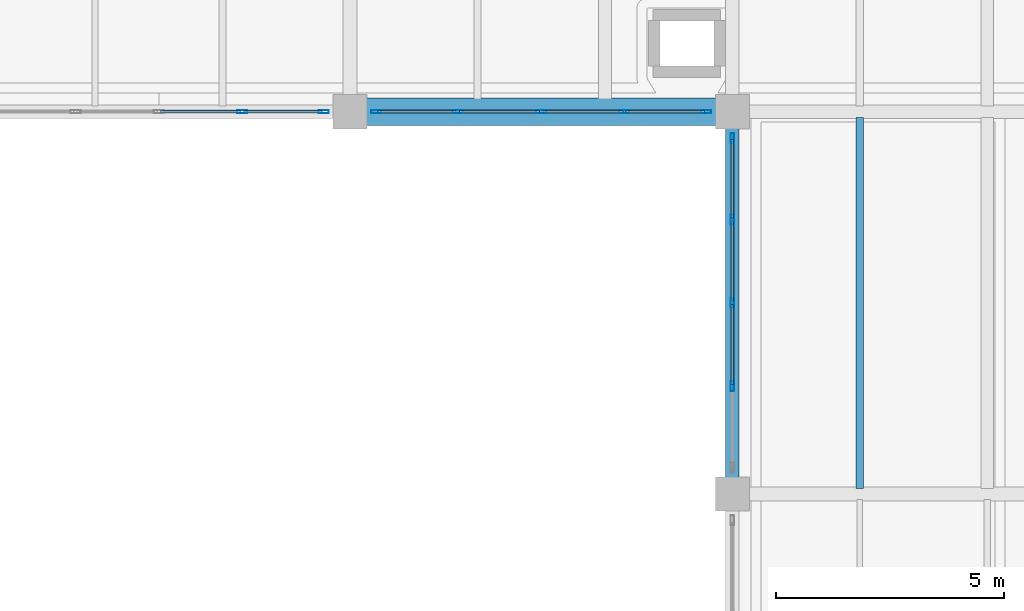
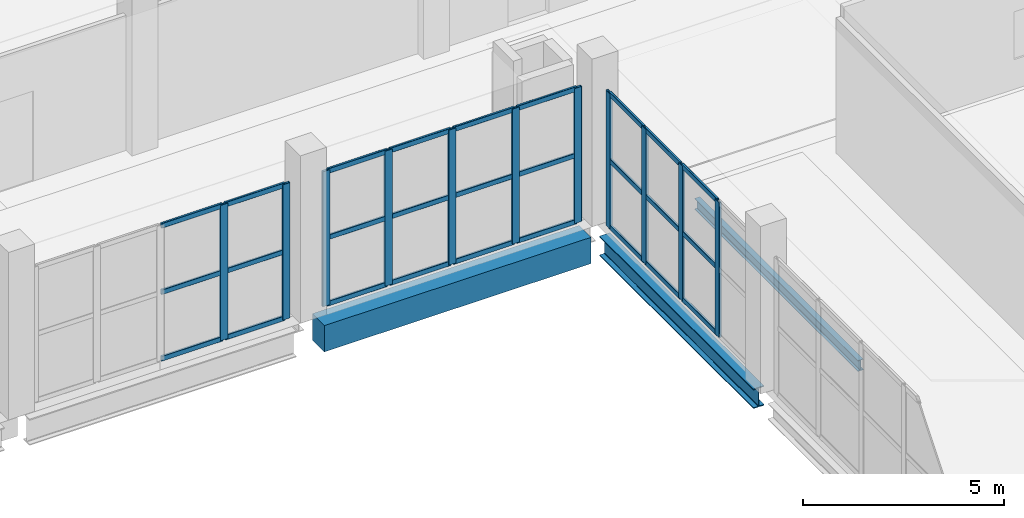
# One storey, part 47 of 77: 38 members, 3 beams, 3 elements without a shape of their own.
"""IFC4 building model written with IfcOpenShell, lengths in metres."""

from ifc_helpers import new_model, si_unit, direction, frame, origin, origin_2d, place, context, subcontext, project, spatial, rectangle, hollow_rectangle, i_section, extrude, material, layer, layer_set, material_profile, profile_set, type_object, element, aggregate, save


model = new_model("IFC4")

# Units and contexts
model_context = context("Model", 3, precision=1e-05, world=origin(), true_north=direction((0.0, 1.0)))
body_context = subcontext(model_context, "Body", "Model", "MODEL_VIEW")
ifc_project = project(units=[si_unit("LENGTHUNIT", "METRE"), si_unit("AREAUNIT", "SQUARE_METRE"), si_unit("VOLUMEUNIT", "CUBIC_METRE"), si_unit("PLANEANGLEUNIT", "RADIAN"), si_unit("MASSUNIT", "GRAM", prefix="KILO")], contexts=[model_context])

# Site, building, storey
site_placement = place(None, origin())
site = spatial("IfcSite", under=ifc_project, at=site_placement, CompositionType="ELEMENT")
building_placement = place(site_placement, origin())
building = spatial("IfcBuilding", under=site, at=building_placement, Name="Zulmaris Art Gallery", CompositionType="ELEMENT")
storey_placement = place(building_placement, frame((0.0, 0.0, 15.60009765625)))
storey = spatial("IfcBuildingStorey", under=building, at=storey_placement, Name="L03", CompositionType="ELEMENT", Elevation=15.60009765625)

# Beams
ifc_material_1 = material(Name="Steel S355J2", Category="steel")
ifc_material_profile_1 = material_profile(ifc_material_1, i_section(OverallWidth=0.300048828125, OverallDepth=0.60009765625, WebThickness=0.015380859375, FlangeThickness=0.030029296875, FilletRadius=0.027099609375, at=origin_2d()), Name="HEB 600")
ifc_profile_set_1 = profile_set([ifc_material_profile_1], Name="Steel S355J2")
beam_type_1 = type_object("IfcBeamType", Name="BEAM-BM15", PredefinedType="BEAM", material=ifc_profile_set_1)
beam_1_placement = place(storey_placement, frame((183.60009765625, 50.760009765625, -0.670166015625), z_axis=(0.0, 1.0, 0.0), x_axis=(-1.0, 0.0, 0.0)))
element("IfcBeam", 1, at=beam_1_placement, inside=storey, type_object=beam_type_1, Name="L03 Y-girder (x=183.6, 50.4..58.8)", PredefinedType="BEAM", context=body_context, shape_type="SweptSolid", body=[
    extrude(i_section(OverallWidth=0.300048828125, OverallDepth=0.60009765625, WebThickness=0.015380859375, FlangeThickness=0.030029296875, FilletRadius=0.027099609375, at=origin_2d()), origin(), (0.0, 0.0, 1.0), 7.679931640625),
])
ifc_material_2 = material(Name="Concrete C40/50", Category="concrete")
ifc_material_profile_2 = material_profile(ifc_material_2, rectangle(XDim=0.60009765625, YDim=0.800048828125, at=origin_2d()), Name="RC 600x800")
ifc_profile_set_2 = profile_set([ifc_material_profile_2], Name="Concrete C40/50")
beam_type_2 = type_object("IfcBeamType", Name="BEAM-BM27", PredefinedType="BEAM", material=ifc_profile_set_2)
beam_2_placement = place(storey_placement, frame((175.56005859375, 58.800048828125, -0.77001953125), z_axis=(1.0, 0.0, 0.0), x_axis=(0.0, 1.0, 0.0)))
element("IfcBeam", 2, at=beam_2_placement, inside=storey, type_object=beam_type_2, Name="L03 X-girder (175.2..183.6, y=58.8)", PredefinedType="BEAM", context=body_context, shape_type="SweptSolid", body=[
    extrude(rectangle(XDim=0.60009765625, YDim=0.800048828125, at=origin_2d()), origin(), (0.0, 0.0, 1.0), 7.679931640625),
])
ifc_material_profile_3 = material_profile(ifc_material_1, i_section(OverallWidth=0.159912109375, OverallDepth=0.330078125, WebThickness=0.007568359375, FlangeThickness=0.011474609375, FilletRadius=0.01806640625, at=origin_2d()), Name="IPE 330")
ifc_profile_set_3 = profile_set([ifc_material_profile_3], Name="Steel S355J2")
beam_type_3 = type_object("IfcBeamType", Name="BEAM-JS03", PredefinedType="JOIST", material=ifc_profile_set_3)
beam_3_placement = place(storey_placement, frame((186.39990234375, 50.52490234375, -0.53515625), z_axis=(0.0, 1.0, 0.0), x_axis=(-1.0, 0.0, 0.0)))
element("IfcBeam", 3, at=beam_3_placement, inside=storey, type_object=beam_type_3, Name="L03 secondary joist at x=186.4", PredefinedType="JOIST", context=body_context, shape_type="SweptSolid", body=[
    extrude(i_section(OverallWidth=0.159912109375, OverallDepth=0.330078125, WebThickness=0.007568359375, FlangeThickness=0.011474609375, FilletRadius=0.01806640625, at=origin_2d()), origin(), (0.0, 0.0, 1.0), 8.150146484375),
])

# Curtain wall, members
ifc_material_3 = material(Name="Courtyard Artists Studio Curtain Wall", Category="aluminium")
ifc_layer = layer(ifc_material_3, 0.179931640625)
ifc_layer_set = layer_set([ifc_layer], Name="Courtyard Artists Studio Curtain Wall")
curtain_wall_type = type_object("IfcCurtainWallType", Name="CW-CW04", PredefinedType="NOTDEFINED", material=ifc_layer_set)
curtain_wall_1_placement = place(storey_placement, origin())
curtain_wall_1 = element("IfcCurtainWall", 4, at=curtain_wall_1_placement, inside=storey, type_object=curtain_wall_type, Name="L03 curtain wall 152", PredefinedType="NOTDEFINED")
ifc_material_4 = material(Name="Anodised Bronze Aluminium", Category="aluminium")
ifc_material_profile_4 = material_profile(ifc_material_4, hollow_rectangle(XDim=0.074951171875, YDim=0.219970703125, WallThickness=0.0048828125, InnerFilletRadius=0.007568359375, OuterFilletRadius=0.012451171875, at=origin_2d()), Name="ALU 75x220x5")
ifc_profile_set_4 = profile_set([ifc_material_profile_4], Name="Anodised Bronze Aluminium")
member_type_1 = type_object("IfcMemberType", Name="CWMUL-02", PredefinedType="MULLION", material=ifc_profile_set_4)
member_1_placement = place(storey_placement, frame((183.60009765625, 58.222412109375, 0.0), z_axis=(0.0, 0.0, 1.0), x_axis=(1.0, 0.0, 0.0)))
member_1 = element("IfcMember", 5, at=member_1_placement, type_object=member_type_1, Name="CW04 mullion 1", PredefinedType="MULLION", context=body_context, shape_type="SweptSolid", body=[
    extrude(hollow_rectangle(XDim=0.074951171875, YDim=0.219970703125, WallThickness=0.0048828125, InnerFilletRadius=0.007568359375, OuterFilletRadius=0.012451171875, at=origin_2d()), origin(), (0.0, 0.0, 1.0), 4.10986328125),
])
member_2_placement = place(storey_placement, frame((183.60009765625, 56.429931640625, 0.0), z_axis=(0.0, 0.0, 1.0), x_axis=(1.0, 0.0, 0.0)))
member_2 = element("IfcMember", 6, at=member_2_placement, type_object=member_type_1, Name="CW04 mullion 2", PredefinedType="MULLION", context=body_context, shape_type="SweptSolid", body=[
    extrude(hollow_rectangle(XDim=0.074951171875, YDim=0.219970703125, WallThickness=0.0048828125, InnerFilletRadius=0.007568359375, OuterFilletRadius=0.012451171875, at=origin_2d()), origin(), (0.0, 0.0, 1.0), 4.10986328125),
])
member_3_placement = place(storey_placement, frame((183.60009765625, 54.60009765625, 0.0), z_axis=(0.0, 0.0, 1.0), x_axis=(1.0, 0.0, 0.0)))
member_3 = element("IfcMember", 7, at=member_3_placement, type_object=member_type_1, Name="CW04 mullion 3", PredefinedType="MULLION", context=body_context, shape_type="SweptSolid", body=[
    extrude(hollow_rectangle(XDim=0.074951171875, YDim=0.219970703125, WallThickness=0.0048828125, InnerFilletRadius=0.007568359375, OuterFilletRadius=0.012451171875, at=origin_2d()), origin(), (0.0, 0.0, 1.0), 4.10986328125),
])
member_4_placement = place(storey_placement, frame((183.60009765625, 52.77001953125, 0.0), z_axis=(0.0, 0.0, 1.0), x_axis=(1.0, 0.0, 0.0)))
member_4 = element("IfcMember", 8, at=member_4_placement, type_object=member_type_1, Name="CW04 mullion 4", PredefinedType="MULLION", context=body_context, shape_type="SweptSolid", body=[
    extrude(hollow_rectangle(XDim=0.074951171875, YDim=0.219970703125, WallThickness=0.0048828125, InnerFilletRadius=0.007568359375, OuterFilletRadius=0.012451171875, at=origin_2d()), origin(), (0.0, 0.0, 1.0), 4.10986328125),
])

curtain_wall_2_placement = place(storey_placement, origin())
curtain_wall_2 = element("IfcCurtainWall", 9, at=curtain_wall_2_placement, inside=storey, type_object=curtain_wall_type, Name="L03 curtain wall 155", PredefinedType="NOTDEFINED")
member_5_placement = place(storey_placement, frame((174.62255859375, 58.800048828125, 0.0), z_axis=(0.0, 0.0, 1.0), x_axis=(0.0, -1.0, 0.0)))
member_5 = element("IfcMember", 10, at=member_5_placement, type_object=member_type_1, Name="CW04 mullion 1", PredefinedType="MULLION", context=body_context, shape_type="SweptSolid", body=[
    extrude(hollow_rectangle(XDim=0.074951171875, YDim=0.219970703125, WallThickness=0.0048828125, InnerFilletRadius=0.007568359375, OuterFilletRadius=0.012451171875, at=origin_2d()), origin(), (0.0, 0.0, 1.0), 4.119873046875),
])
member_6_placement = place(storey_placement, frame((172.830078125, 58.800048828125, 0.0), z_axis=(0.0, 0.0, 1.0), x_axis=(0.0, -1.0, 0.0)))
member_6 = element("IfcMember", 11, at=member_6_placement, type_object=member_type_1, Name="CW04 mullion 2", PredefinedType="MULLION", context=body_context, shape_type="SweptSolid", body=[
    extrude(hollow_rectangle(XDim=0.074951171875, YDim=0.219970703125, WallThickness=0.0048828125, InnerFilletRadius=0.007568359375, OuterFilletRadius=0.012451171875, at=origin_2d()), origin(), (0.0, 0.0, 1.0), 4.119873046875),
])

curtain_wall_3_placement = place(storey_placement, origin())
curtain_wall_3 = element("IfcCurtainWall", 12, at=curtain_wall_3_placement, inside=storey, type_object=curtain_wall_type, Name="L03 curtain wall 157", PredefinedType="NOTDEFINED")
member_7_placement = place(storey_placement, frame((183.0224609375, 58.800048828125, 0.0), z_axis=(0.0, 0.0, 1.0), x_axis=(0.0, -1.0, 0.0)))
member_7 = element("IfcMember", 13, at=member_7_placement, type_object=member_type_1, Name="CW04 mullion 1", PredefinedType="MULLION", context=body_context, shape_type="SweptSolid", body=[
    extrude(hollow_rectangle(XDim=0.074951171875, YDim=0.219970703125, WallThickness=0.0048828125, InnerFilletRadius=0.007568359375, OuterFilletRadius=0.012451171875, at=origin_2d()), origin(), (0.0, 0.0, 1.0), 4.10986328125),
])
member_8_placement = place(storey_placement, frame((181.22998046875, 58.800048828125, 0.0), z_axis=(0.0, 0.0, 1.0), x_axis=(0.0, -1.0, 0.0)))
member_8 = element("IfcMember", 14, at=member_8_placement, type_object=member_type_1, Name="CW04 mullion 2", PredefinedType="MULLION", context=body_context, shape_type="SweptSolid", body=[
    extrude(hollow_rectangle(XDim=0.074951171875, YDim=0.219970703125, WallThickness=0.0048828125, InnerFilletRadius=0.007568359375, OuterFilletRadius=0.012451171875, at=origin_2d()), origin(), (0.0, 0.0, 1.0), 4.10986328125),
])
member_9_placement = place(storey_placement, frame((179.39990234375, 58.800048828125, 0.0), z_axis=(0.0, 0.0, 1.0), x_axis=(0.0, -1.0, 0.0)))
member_9 = element("IfcMember", 15, at=member_9_placement, type_object=member_type_1, Name="CW04 mullion 3", PredefinedType="MULLION", context=body_context, shape_type="SweptSolid", body=[
    extrude(hollow_rectangle(XDim=0.074951171875, YDim=0.219970703125, WallThickness=0.0048828125, InnerFilletRadius=0.007568359375, OuterFilletRadius=0.012451171875, at=origin_2d()), origin(), (0.0, 0.0, 1.0), 4.10986328125),
])
member_10_placement = place(storey_placement, frame((177.570068359375, 58.800048828125, 0.0), z_axis=(0.0, 0.0, 1.0), x_axis=(0.0, -1.0, 0.0)))
member_10 = element("IfcMember", 16, at=member_10_placement, type_object=member_type_1, Name="CW04 mullion 4", PredefinedType="MULLION", context=body_context, shape_type="SweptSolid", body=[
    extrude(hollow_rectangle(XDim=0.074951171875, YDim=0.219970703125, WallThickness=0.0048828125, InnerFilletRadius=0.007568359375, OuterFilletRadius=0.012451171875, at=origin_2d()), origin(), (0.0, 0.0, 1.0), 4.10986328125),
])
member_11_placement = place(storey_placement, frame((175.777587890625, 58.800048828125, 0.0), z_axis=(0.0, 0.0, 1.0), x_axis=(0.0, -1.0, 0.0)))
member_11 = element("IfcMember", 17, at=member_11_placement, type_object=member_type_1, Name="CW04 mullion 5", PredefinedType="MULLION", context=body_context, shape_type="SweptSolid", body=[
    extrude(hollow_rectangle(XDim=0.074951171875, YDim=0.219970703125, WallThickness=0.0048828125, InnerFilletRadius=0.007568359375, OuterFilletRadius=0.012451171875, at=origin_2d()), origin(), (0.0, 0.0, 1.0), 4.10986328125),
])

# Member
ifc_material_profile_5 = material_profile(ifc_material_4, hollow_rectangle(XDim=0.06494140625, YDim=0.14990234375, WallThickness=0.00390625, InnerFilletRadius=0.006103515625, OuterFilletRadius=0.010009765625, at=origin_2d()), Name="ALU 65x150x4")
ifc_profile_set_5 = profile_set([ifc_material_profile_5], Name="Anodised Bronze Aluminium")
member_type_2 = type_object("IfcMemberType", Name="CWTRN-01", PredefinedType="USERDEFINED", material=ifc_profile_set_5)
member_12_placement = place(storey_placement, frame((183.60009765625, 58.18505859375, 0.037353515625), z_axis=(0.0, -1.0, 0.0), x_axis=(1.0, 0.0, 0.0)))
member_12 = element("IfcMember", 18, at=member_12_placement, type_object=member_type_2, Name="CW04 transom 1.1", ObjectType="TRANSOM", PredefinedType="USERDEFINED", context=body_context, shape_type="SweptSolid", body=[
    extrude(hollow_rectangle(XDim=0.06494140625, YDim=0.14990234375, WallThickness=0.00390625, InnerFilletRadius=0.006103515625, OuterFilletRadius=0.010009765625, at=origin_2d()), origin(), (0.0, 0.0, 1.0), 1.717529296875),
])

member_13_placement = place(storey_placement, frame((183.60009765625, 58.18505859375, 2.054931640625), z_axis=(0.0, -1.0, 0.0), x_axis=(1.0, 0.0, 0.0)))
member_13 = element("IfcMember", 19, at=member_13_placement, type_object=member_type_2, Name="CW04 transom 1.2", ObjectType="TRANSOM", PredefinedType="USERDEFINED", context=body_context, shape_type="SweptSolid", body=[
    extrude(hollow_rectangle(XDim=0.06494140625, YDim=0.14990234375, WallThickness=0.00390625, InnerFilletRadius=0.006103515625, OuterFilletRadius=0.010009765625, at=origin_2d()), origin(), (0.0, 0.0, 1.0), 1.717529296875),
])

member_14_placement = place(storey_placement, frame((183.60009765625, 58.18505859375, 4.072509765625), z_axis=(0.0, -1.0, 0.0), x_axis=(1.0, 0.0, 0.0)))
member_14 = element("IfcMember", 20, at=member_14_placement, type_object=member_type_2, Name="CW04 transom 1.3", ObjectType="TRANSOM", PredefinedType="USERDEFINED", context=body_context, shape_type="SweptSolid", body=[
    extrude(hollow_rectangle(XDim=0.06494140625, YDim=0.14990234375, WallThickness=0.00390625, InnerFilletRadius=0.006103515625, OuterFilletRadius=0.010009765625, at=origin_2d()), origin(), (0.0, 0.0, 1.0), 1.717529296875),
])

member_15_placement = place(storey_placement, frame((183.60009765625, 56.392578125, 0.037353515625), z_axis=(0.0, -1.0, 0.0), x_axis=(1.0, 0.0, 0.0)))
member_15 = element("IfcMember", 21, at=member_15_placement, type_object=member_type_2, Name="CW04 transom 2.1", ObjectType="TRANSOM", PredefinedType="USERDEFINED", context=body_context, shape_type="SweptSolid", body=[
    extrude(hollow_rectangle(XDim=0.06494140625, YDim=0.14990234375, WallThickness=0.00390625, InnerFilletRadius=0.006103515625, OuterFilletRadius=0.010009765625, at=origin_2d()), origin(), (0.0, 0.0, 1.0), 1.755126953125),
])

member_16_placement = place(storey_placement, frame((183.60009765625, 56.392578125, 2.054931640625), z_axis=(0.0, -1.0, 0.0), x_axis=(1.0, 0.0, 0.0)))
member_16 = element("IfcMember", 22, at=member_16_placement, type_object=member_type_2, Name="CW04 transom 2.2", ObjectType="TRANSOM", PredefinedType="USERDEFINED", context=body_context, shape_type="SweptSolid", body=[
    extrude(hollow_rectangle(XDim=0.06494140625, YDim=0.14990234375, WallThickness=0.00390625, InnerFilletRadius=0.006103515625, OuterFilletRadius=0.010009765625, at=origin_2d()), origin(), (0.0, 0.0, 1.0), 1.755126953125),
])

member_17_placement = place(storey_placement, frame((183.60009765625, 56.392578125, 4.072509765625), z_axis=(0.0, -1.0, 0.0), x_axis=(1.0, 0.0, 0.0)))
member_17 = element("IfcMember", 23, at=member_17_placement, type_object=member_type_2, Name="CW04 transom 2.3", ObjectType="TRANSOM", PredefinedType="USERDEFINED", context=body_context, shape_type="SweptSolid", body=[
    extrude(hollow_rectangle(XDim=0.06494140625, YDim=0.14990234375, WallThickness=0.00390625, InnerFilletRadius=0.006103515625, OuterFilletRadius=0.010009765625, at=origin_2d()), origin(), (0.0, 0.0, 1.0), 1.755126953125),
])

member_18_placement = place(storey_placement, frame((183.60009765625, 54.5625, 0.037353515625), z_axis=(0.0, -1.0, 0.0), x_axis=(1.0, 0.0, 0.0)))
member_18 = element("IfcMember", 24, at=member_18_placement, type_object=member_type_2, Name="CW04 transom 3.1", ObjectType="TRANSOM", PredefinedType="USERDEFINED", context=body_context, shape_type="SweptSolid", body=[
    extrude(hollow_rectangle(XDim=0.06494140625, YDim=0.14990234375, WallThickness=0.00390625, InnerFilletRadius=0.006103515625, OuterFilletRadius=0.010009765625, at=origin_2d()), origin(), (0.0, 0.0, 1.0), 1.7548828125),
])

member_19_placement = place(storey_placement, frame((183.60009765625, 54.5625, 2.054931640625), z_axis=(0.0, -1.0, 0.0), x_axis=(1.0, 0.0, 0.0)))
member_19 = element("IfcMember", 25, at=member_19_placement, type_object=member_type_2, Name="CW04 transom 3.2", ObjectType="TRANSOM", PredefinedType="USERDEFINED", context=body_context, shape_type="SweptSolid", body=[
    extrude(hollow_rectangle(XDim=0.06494140625, YDim=0.14990234375, WallThickness=0.00390625, InnerFilletRadius=0.006103515625, OuterFilletRadius=0.010009765625, at=origin_2d()), origin(), (0.0, 0.0, 1.0), 1.7548828125),
])

member_20_placement = place(storey_placement, frame((183.60009765625, 54.5625, 4.072509765625), z_axis=(0.0, -1.0, 0.0), x_axis=(1.0, 0.0, 0.0)))
member_20 = element("IfcMember", 26, at=member_20_placement, type_object=member_type_2, Name="CW04 transom 3.3", ObjectType="TRANSOM", PredefinedType="USERDEFINED", context=body_context, shape_type="SweptSolid", body=[
    extrude(hollow_rectangle(XDim=0.06494140625, YDim=0.14990234375, WallThickness=0.00390625, InnerFilletRadius=0.006103515625, OuterFilletRadius=0.010009765625, at=origin_2d()), origin(), (0.0, 0.0, 1.0), 1.7548828125),
])

aggregate(curtain_wall_1, [member_1, member_2, member_3, member_4, member_12, member_13, member_14, member_15, member_16, member_17, member_18, member_19, member_20])

member_21_placement = place(storey_placement, frame((174.5849609375, 58.800048828125, 0.037353515625), z_axis=(-1.0, 0.0, 0.0), x_axis=(0.0, -1.0, 0.0)))
member_21 = element("IfcMember", 27, at=member_21_placement, type_object=member_type_2, Name="CW04 transom 1.1", ObjectType="TRANSOM", PredefinedType="USERDEFINED", context=body_context, shape_type="SweptSolid", body=[
    extrude(hollow_rectangle(XDim=0.06494140625, YDim=0.14990234375, WallThickness=0.00390625, InnerFilletRadius=0.006103515625, OuterFilletRadius=0.010009765625, at=origin_2d()), origin(), (0.0, 0.0, 1.0), 1.717529296875),
])

member_22_placement = place(storey_placement, frame((174.5849609375, 58.800048828125, 2.059814453125), z_axis=(-1.0, 0.0, 0.0), x_axis=(0.0, -1.0, 0.0)))
member_22 = element("IfcMember", 28, at=member_22_placement, type_object=member_type_2, Name="CW04 transom 1.2", ObjectType="TRANSOM", PredefinedType="USERDEFINED", context=body_context, shape_type="SweptSolid", body=[
    extrude(hollow_rectangle(XDim=0.06494140625, YDim=0.14990234375, WallThickness=0.00390625, InnerFilletRadius=0.006103515625, OuterFilletRadius=0.010009765625, at=origin_2d()), origin(), (0.0, 0.0, 1.0), 1.717529296875),
])

member_23_placement = place(storey_placement, frame((174.5849609375, 58.800048828125, 4.08251953125), z_axis=(-1.0, 0.0, 0.0), x_axis=(0.0, -1.0, 0.0)))
member_23 = element("IfcMember", 29, at=member_23_placement, type_object=member_type_2, Name="CW04 transom 1.3", ObjectType="TRANSOM", PredefinedType="USERDEFINED", context=body_context, shape_type="SweptSolid", body=[
    extrude(hollow_rectangle(XDim=0.06494140625, YDim=0.14990234375, WallThickness=0.00390625, InnerFilletRadius=0.006103515625, OuterFilletRadius=0.010009765625, at=origin_2d()), origin(), (0.0, 0.0, 1.0), 1.717529296875),
])

member_24_placement = place(storey_placement, frame((172.79248046875, 58.800048828125, 0.037353515625), z_axis=(-1.0, 0.0, 0.0), x_axis=(0.0, -1.0, 0.0)))
member_24 = element("IfcMember", 30, at=member_24_placement, type_object=member_type_2, Name="CW04 transom 2.1", ObjectType="TRANSOM", PredefinedType="USERDEFINED", context=body_context, shape_type="SweptSolid", body=[
    extrude(hollow_rectangle(XDim=0.06494140625, YDim=0.14990234375, WallThickness=0.00390625, InnerFilletRadius=0.006103515625, OuterFilletRadius=0.010009765625, at=origin_2d()), origin(), (0.0, 0.0, 1.0), 1.7548828125),
])

member_25_placement = place(storey_placement, frame((172.79248046875, 58.800048828125, 2.059814453125), z_axis=(-1.0, 0.0, 0.0), x_axis=(0.0, -1.0, 0.0)))
member_25 = element("IfcMember", 31, at=member_25_placement, type_object=member_type_2, Name="CW04 transom 2.2", ObjectType="TRANSOM", PredefinedType="USERDEFINED", context=body_context, shape_type="SweptSolid", body=[
    extrude(hollow_rectangle(XDim=0.06494140625, YDim=0.14990234375, WallThickness=0.00390625, InnerFilletRadius=0.006103515625, OuterFilletRadius=0.010009765625, at=origin_2d()), origin(), (0.0, 0.0, 1.0), 1.7548828125),
])

member_26_placement = place(storey_placement, frame((172.79248046875, 58.800048828125, 4.08251953125), z_axis=(-1.0, 0.0, 0.0), x_axis=(0.0, -1.0, 0.0)))
member_26 = element("IfcMember", 32, at=member_26_placement, type_object=member_type_2, Name="CW04 transom 2.3", ObjectType="TRANSOM", PredefinedType="USERDEFINED", context=body_context, shape_type="SweptSolid", body=[
    extrude(hollow_rectangle(XDim=0.06494140625, YDim=0.14990234375, WallThickness=0.00390625, InnerFilletRadius=0.006103515625, OuterFilletRadius=0.010009765625, at=origin_2d()), origin(), (0.0, 0.0, 1.0), 1.7548828125),
])

aggregate(curtain_wall_2, [member_5, member_6, member_21, member_22, member_23, member_24, member_25, member_26])

member_27_placement = place(storey_placement, frame((182.985107421875, 58.800048828125, 0.037353515625), z_axis=(-1.0, 0.0, 0.0), x_axis=(0.0, -1.0, 0.0)))
member_27 = element("IfcMember", 33, at=member_27_placement, type_object=member_type_2, Name="CW04 transom 1.1", ObjectType="TRANSOM", PredefinedType="USERDEFINED", context=body_context, shape_type="SweptSolid", body=[
    extrude(hollow_rectangle(XDim=0.06494140625, YDim=0.14990234375, WallThickness=0.00390625, InnerFilletRadius=0.006103515625, OuterFilletRadius=0.010009765625, at=origin_2d()), origin(), (0.0, 0.0, 1.0), 1.717529296875),
])

member_28_placement = place(storey_placement, frame((182.985107421875, 58.800048828125, 2.054931640625), z_axis=(-1.0, 0.0, 0.0), x_axis=(0.0, -1.0, 0.0)))
member_28 = element("IfcMember", 34, at=member_28_placement, type_object=member_type_2, Name="CW04 transom 1.2", ObjectType="TRANSOM", PredefinedType="USERDEFINED", context=body_context, shape_type="SweptSolid", body=[
    extrude(hollow_rectangle(XDim=0.06494140625, YDim=0.14990234375, WallThickness=0.00390625, InnerFilletRadius=0.006103515625, OuterFilletRadius=0.010009765625, at=origin_2d()), origin(), (0.0, 0.0, 1.0), 1.717529296875),
])

member_29_placement = place(storey_placement, frame((182.985107421875, 58.800048828125, 4.072509765625), z_axis=(-1.0, 0.0, 0.0), x_axis=(0.0, -1.0, 0.0)))
member_29 = element("IfcMember", 35, at=member_29_placement, type_object=member_type_2, Name="CW04 transom 1.3", ObjectType="TRANSOM", PredefinedType="USERDEFINED", context=body_context, shape_type="SweptSolid", body=[
    extrude(hollow_rectangle(XDim=0.06494140625, YDim=0.14990234375, WallThickness=0.00390625, InnerFilletRadius=0.006103515625, OuterFilletRadius=0.010009765625, at=origin_2d()), origin(), (0.0, 0.0, 1.0), 1.717529296875),
])

member_30_placement = place(storey_placement, frame((181.1923828125, 58.800048828125, 0.037353515625), z_axis=(-1.0, 0.0, 0.0), x_axis=(0.0, -1.0, 0.0)))
member_30 = element("IfcMember", 36, at=member_30_placement, type_object=member_type_2, Name="CW04 transom 2.1", ObjectType="TRANSOM", PredefinedType="USERDEFINED", context=body_context, shape_type="SweptSolid", body=[
    extrude(hollow_rectangle(XDim=0.06494140625, YDim=0.14990234375, WallThickness=0.00390625, InnerFilletRadius=0.006103515625, OuterFilletRadius=0.010009765625, at=origin_2d()), origin(), (0.0, 0.0, 1.0), 1.7548828125),
])

member_31_placement = place(storey_placement, frame((181.1923828125, 58.800048828125, 2.054931640625), z_axis=(-1.0, 0.0, 0.0), x_axis=(0.0, -1.0, 0.0)))
member_31 = element("IfcMember", 37, at=member_31_placement, type_object=member_type_2, Name="CW04 transom 2.2", ObjectType="TRANSOM", PredefinedType="USERDEFINED", context=body_context, shape_type="SweptSolid", body=[
    extrude(hollow_rectangle(XDim=0.06494140625, YDim=0.14990234375, WallThickness=0.00390625, InnerFilletRadius=0.006103515625, OuterFilletRadius=0.010009765625, at=origin_2d()), origin(), (0.0, 0.0, 1.0), 1.7548828125),
])

member_32_placement = place(storey_placement, frame((181.1923828125, 58.800048828125, 4.072509765625), z_axis=(-1.0, 0.0, 0.0), x_axis=(0.0, -1.0, 0.0)))
member_32 = element("IfcMember", 38, at=member_32_placement, type_object=member_type_2, Name="CW04 transom 2.3", ObjectType="TRANSOM", PredefinedType="USERDEFINED", context=body_context, shape_type="SweptSolid", body=[
    extrude(hollow_rectangle(XDim=0.06494140625, YDim=0.14990234375, WallThickness=0.00390625, InnerFilletRadius=0.006103515625, OuterFilletRadius=0.010009765625, at=origin_2d()), origin(), (0.0, 0.0, 1.0), 1.7548828125),
])

member_33_placement = place(storey_placement, frame((179.362548828125, 58.800048828125, 0.037353515625), z_axis=(-1.0, 0.0, 0.0), x_axis=(0.0, -1.0, 0.0)))
member_33 = element("IfcMember", 39, at=member_33_placement, type_object=member_type_2, Name="CW04 transom 3.1", ObjectType="TRANSOM", PredefinedType="USERDEFINED", context=body_context, shape_type="SweptSolid", body=[
    extrude(hollow_rectangle(XDim=0.06494140625, YDim=0.14990234375, WallThickness=0.00390625, InnerFilletRadius=0.006103515625, OuterFilletRadius=0.010009765625, at=origin_2d()), origin(), (0.0, 0.0, 1.0), 1.755126953125),
])

member_34_placement = place(storey_placement, frame((179.362548828125, 58.800048828125, 2.054931640625), z_axis=(-1.0, 0.0, 0.0), x_axis=(0.0, -1.0, 0.0)))
member_34 = element("IfcMember", 40, at=member_34_placement, type_object=member_type_2, Name="CW04 transom 3.2", ObjectType="TRANSOM", PredefinedType="USERDEFINED", context=body_context, shape_type="SweptSolid", body=[
    extrude(hollow_rectangle(XDim=0.06494140625, YDim=0.14990234375, WallThickness=0.00390625, InnerFilletRadius=0.006103515625, OuterFilletRadius=0.010009765625, at=origin_2d()), origin(), (0.0, 0.0, 1.0), 1.755126953125),
])

member_35_placement = place(storey_placement, frame((179.362548828125, 58.800048828125, 4.072509765625), z_axis=(-1.0, 0.0, 0.0), x_axis=(0.0, -1.0, 0.0)))
member_35 = element("IfcMember", 41, at=member_35_placement, type_object=member_type_2, Name="CW04 transom 3.3", ObjectType="TRANSOM", PredefinedType="USERDEFINED", context=body_context, shape_type="SweptSolid", body=[
    extrude(hollow_rectangle(XDim=0.06494140625, YDim=0.14990234375, WallThickness=0.00390625, InnerFilletRadius=0.006103515625, OuterFilletRadius=0.010009765625, at=origin_2d()), origin(), (0.0, 0.0, 1.0), 1.755126953125),
])

member_36_placement = place(storey_placement, frame((177.532470703125, 58.800048828125, 0.037353515625), z_axis=(-1.0, 0.0, 0.0), x_axis=(0.0, -1.0, 0.0)))
member_36 = element("IfcMember", 42, at=member_36_placement, type_object=member_type_2, Name="CW04 transom 4.1", ObjectType="TRANSOM", PredefinedType="USERDEFINED", context=body_context, shape_type="SweptSolid", body=[
    extrude(hollow_rectangle(XDim=0.06494140625, YDim=0.14990234375, WallThickness=0.00390625, InnerFilletRadius=0.006103515625, OuterFilletRadius=0.010009765625, at=origin_2d()), origin(), (0.0, 0.0, 1.0), 1.717529296875),
])

member_37_placement = place(storey_placement, frame((177.532470703125, 58.800048828125, 2.054931640625), z_axis=(-1.0, 0.0, 0.0), x_axis=(0.0, -1.0, 0.0)))
member_37 = element("IfcMember", 43, at=member_37_placement, type_object=member_type_2, Name="CW04 transom 4.2", ObjectType="TRANSOM", PredefinedType="USERDEFINED", context=body_context, shape_type="SweptSolid", body=[
    extrude(hollow_rectangle(XDim=0.06494140625, YDim=0.14990234375, WallThickness=0.00390625, InnerFilletRadius=0.006103515625, OuterFilletRadius=0.010009765625, at=origin_2d()), origin(), (0.0, 0.0, 1.0), 1.717529296875),
])

member_38_placement = place(storey_placement, frame((177.532470703125, 58.800048828125, 4.072509765625), z_axis=(-1.0, 0.0, 0.0), x_axis=(0.0, -1.0, 0.0)))
member_38 = element("IfcMember", 44, at=member_38_placement, type_object=member_type_2, Name="CW04 transom 4.3", ObjectType="TRANSOM", PredefinedType="USERDEFINED", context=body_context, shape_type="SweptSolid", body=[
    extrude(hollow_rectangle(XDim=0.06494140625, YDim=0.14990234375, WallThickness=0.00390625, InnerFilletRadius=0.006103515625, OuterFilletRadius=0.010009765625, at=origin_2d()), origin(), (0.0, 0.0, 1.0), 1.717529296875),
])

aggregate(curtain_wall_3, [member_7, member_8, member_9, member_10, member_11, member_27, member_28, member_29, member_30, member_31, member_32, member_33, member_34, member_35, member_36, member_37, member_38])

save(model, "model.ifc")
